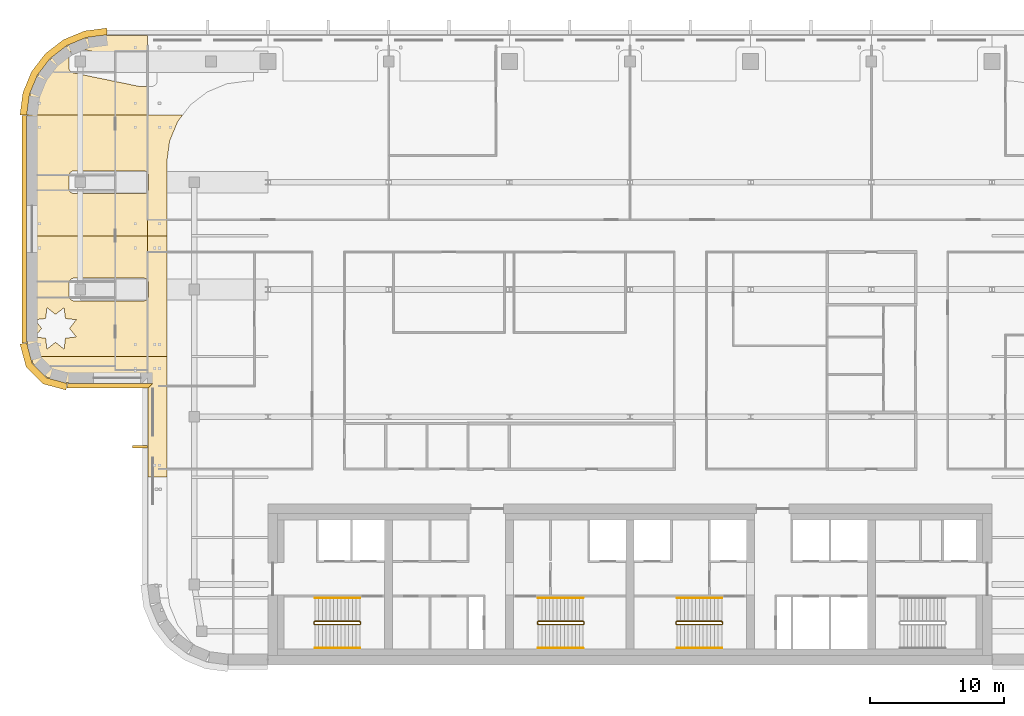
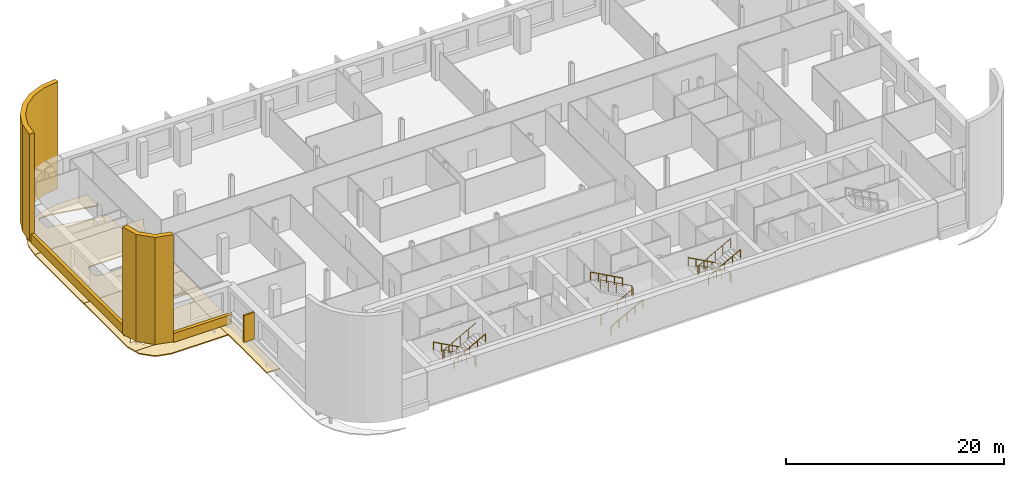
# One storey, part 16 of 19: 12 coverings, 9 railings.
"""IFC4 building model written with IfcOpenShell, lengths in metres."""

from ifc_helpers import new_model, si_unit, direction, frame, origin, origin_2d, place, context, subcontext, project, spatial, polyline, circle, outline, extrude, material, layer, layer_set, type_object, element, save


model = new_model("IFC4")

# Units and contexts
model_context = context("Model", 3, precision=1e-05, world=origin(), true_north=direction((0.0, 1.0)))
body_context = subcontext(model_context, "Body", "Model", "MODEL_VIEW")
ifc_project = project(units=[si_unit("LENGTHUNIT", "METRE"), si_unit("AREAUNIT", "SQUARE_METRE"), si_unit("VOLUMEUNIT", "CUBIC_METRE"), si_unit("PLANEANGLEUNIT", "RADIAN"), si_unit("MASSUNIT", "GRAM", prefix="KILO")], contexts=[model_context])

# Site, building, storey
site_placement = place(None, origin())
site = spatial("IfcSite", under=ifc_project, at=site_placement, CompositionType="ELEMENT")
building_placement = place(site_placement, origin())
building = spatial("IfcBuilding", under=site, at=building_placement, Name="Zellij Exchange Tower", CompositionType="ELEMENT")
storey_placement = place(building_placement, frame((0.0, 0.0, 220.5)))
storey = spatial("IfcBuildingStorey", under=building, at=storey_placement, Name="L51", CompositionType="ELEMENT", Elevation=220.5)

# Railings
ifc_material_1 = material(Name="Stainless steel", Category="steel")
railing_type_1 = type_object("IfcRailingType", Name="CORE-RG stair guard", PredefinedType="GUARDRAIL", material=ifc_material_1)
railing_1_placement = place(storey_placement, frame((-20.10009765625, -10.800048828125, 0.0)))
element("IfcRailing", 1, at=railing_1_placement, inside=storey, type_object=railing_type_1, Name="ST1 stair guard L51", PredefinedType="GUARDRAIL", context=body_context, shape_type="SweptSolid", body=[
    extrude(circle(Radius=0.02392578125, at=origin_2d()), frame((0.0, 0.0, 1.076171875), z_axis=(0.0, -1.0, 0.0), x_axis=(1.0, 0.0, 0.0)), (0.0, 0.0, 1.0), 0.14990234375),
    extrude(circle(Radius=0.02392578125, at=origin_2d()), frame((0.0, -0.14990234375, 1.076171875), z_axis=(-0.193691321961, 0.777613689637, 0.598164376644), x_axis=(-0.970351222016, -0.241699205484, 0.0)), (0.0, 0.0, 1.0), 0.257080078125),
    extrude(circle(Radius=0.02392578125, at=origin_2d()), frame((-0.0498046875, 0.050048828125, 1.22998046875), z_axis=(-0.876421534553, 0.0, 0.481544695509), x_axis=(0.0, -1.0, 0.0)), (0.0, 0.0, 1.0), 3.833984375),
    extrude(circle(Radius=0.02392578125, at=origin_2d()), frame((-3.409912109375, 0.050048828125, 3.076171875), z_axis=(-0.707106781187, -0.707106781187, 0.0), x_axis=(0.707106781187, -0.707106781187, 0.0)), (0.0, 0.0, 1.0), 0.07080078125),
    extrude(circle(Radius=0.02392578125, at=origin_2d()), frame((-3.4599609375, 0.0, 3.076171875), z_axis=(0.0, -1.0, 0.0), x_axis=(1.0, 0.0, 0.0)), (0.0, 0.0, 1.0), 0.14990234375),
    extrude(circle(Radius=0.02392578125, at=origin_2d()), frame((-3.4599609375, -0.14990234375, 3.076171875), z_axis=(0.295599637079, -0.295599637079, 0.908428152975), x_axis=(0.707106781187, 0.707106781187, 0.0)), (0.0, 0.0, 1.0), 0.16943359375),
    extrude(circle(Radius=0.02392578125, at=origin_2d()), frame((-3.409912109375, -0.199951171875, 3.22998046875), z_axis=(0.876421534553, 0.0, 0.481544695509), x_axis=(0.0, 1.0, 0.0)), (0.0, 0.0, 1.0), 3.833984375),
    extrude(circle(Radius=0.02099609375, at=origin_2d()), origin(), (0.0, 0.0, 1.0), 1.052001953125),
    extrude(circle(Radius=0.02099609375, at=origin_2d()), frame((0.0, -0.14990234375, 0.0)), (0.0, 0.0, 1.0), 1.052001953125),
    extrude(circle(Radius=0.02099609375, at=origin_2d()), frame((-0.0498046875, 0.050048828125, 0.15380859375)), (0.0, 0.0, 1.0), 1.052001953125),
    extrude(circle(Radius=0.02099609375, at=origin_2d()), frame((-0.889892578125, 0.050048828125, 0.615234375)), (0.0, 0.0, 1.0), 1.052001953125),
    extrude(circle(Radius=0.02099609375, at=origin_2d()), frame((-1.72998046875, 0.050048828125, 1.076904296875)), (0.0, 0.0, 1.0), 1.052001953125),
    extrude(circle(Radius=0.02099609375, at=origin_2d()), frame((-2.56982421875, 0.050048828125, 1.53857421875)), (0.0, 0.0, 1.0), 1.052001953125),
    extrude(circle(Radius=0.02099609375, at=origin_2d()), frame((-3.409912109375, 0.050048828125, 2.0)), (0.0, 0.0, 1.0), 1.052001953125),
    extrude(circle(Radius=0.02099609375, at=origin_2d()), frame((-3.4599609375, 0.0, 2.0)), (0.0, 0.0, 1.0), 1.052001953125),
    extrude(circle(Radius=0.02099609375, at=origin_2d()), frame((-3.4599609375, -0.14990234375, 2.0)), (0.0, 0.0, 1.0), 1.052001953125),
    extrude(circle(Radius=0.02099609375, at=origin_2d()), frame((-3.409912109375, -0.199951171875, 2.15380859375)), (0.0, 0.0, 1.0), 1.052001953125),
    extrude(circle(Radius=0.02099609375, at=origin_2d()), frame((-2.56982421875, -0.199951171875, 2.615234375)), (0.0, 0.0, 1.0), 1.052001953125),
    extrude(circle(Radius=0.02099609375, at=origin_2d()), frame((-1.72998046875, -0.199951171875, 3.076904296875)), (0.0, 0.0, 1.0), 1.052001953125),
    extrude(circle(Radius=0.02099609375, at=origin_2d()), frame((-0.889892578125, -0.199951171875, 3.53857421875)), (0.0, 0.0, 1.0), 1.052001953125),
    extrude(circle(Radius=0.02099609375, at=origin_2d()), frame((-0.0498046875, -0.199951171875, 4.0)), (0.0, 0.0, 1.0), 1.052001953125),
])
railing_2_placement = place(storey_placement, frame((-6.89990234375, -10.949951171875, 0.0)))
element("IfcRailing", 2, at=railing_2_placement, inside=storey, type_object=railing_type_1, Name="ST2 stair guard L51", PredefinedType="GUARDRAIL", context=body_context, shape_type="SweptSolid", body=[
    extrude(circle(Radius=0.02392578125, at=origin_2d()), frame((0.0, 0.0, 1.076171875), z_axis=(0.0, 1.0, 0.0), x_axis=(-1.0, 0.0, 0.0)), (0.0, 0.0, 1.0), 0.14990234375),
    extrude(circle(Radius=0.02392578125, at=origin_2d()), frame((0.0, 0.14990234375, 1.076171875), z_axis=(0.193691321961, -0.777613689637, 0.598164376644), x_axis=(0.970351222016, 0.241699205484, 0.0)), (0.0, 0.0, 1.0), 0.257080078125),
    extrude(circle(Radius=0.02392578125, at=origin_2d()), frame((0.0498046875, -0.050048828125, 1.22998046875), z_axis=(0.876421534553, 0.0, 0.481544695509), x_axis=(0.0, 1.0, 0.0)), (0.0, 0.0, 1.0), 3.833984375),
    extrude(circle(Radius=0.02392578125, at=origin_2d()), frame((3.409912109375, -0.050048828125, 3.076171875), z_axis=(0.707106781187, 0.707106781187, 0.0), x_axis=(-0.707106781187, 0.707106781187, 0.0)), (0.0, 0.0, 1.0), 0.07080078125),
    extrude(circle(Radius=0.02392578125, at=origin_2d()), frame((3.4599609375, 0.0, 3.076171875), z_axis=(0.0, 1.0, 0.0), x_axis=(-1.0, 0.0, 0.0)), (0.0, 0.0, 1.0), 0.14990234375),
    extrude(circle(Radius=0.02392578125, at=origin_2d()), frame((3.4599609375, 0.14990234375, 3.076171875), z_axis=(-0.295599637079, 0.295599637079, 0.908428152975), x_axis=(-0.707106781187, -0.707106781187, 0.0)), (0.0, 0.0, 1.0), 0.16943359375),
    extrude(circle(Radius=0.02392578125, at=origin_2d()), frame((3.409912109375, 0.199951171875, 3.22998046875), z_axis=(-0.876421534553, 0.0, 0.481544695509), x_axis=(0.0, -1.0, 0.0)), (0.0, 0.0, 1.0), 3.833984375),
    extrude(circle(Radius=0.02099609375, at=origin_2d()), origin(), (0.0, 0.0, 1.0), 1.052001953125),
    extrude(circle(Radius=0.02099609375, at=origin_2d()), frame((0.0, 0.14990234375, 0.0)), (0.0, 0.0, 1.0), 1.052001953125),
    extrude(circle(Radius=0.02099609375, at=origin_2d()), frame((0.0498046875, -0.050048828125, 0.15380859375)), (0.0, 0.0, 1.0), 1.052001953125),
    extrude(circle(Radius=0.02099609375, at=origin_2d()), frame((0.889892578125, -0.050048828125, 0.615234375)), (0.0, 0.0, 1.0), 1.052001953125),
    extrude(circle(Radius=0.02099609375, at=origin_2d()), frame((1.72998046875, -0.050048828125, 1.076904296875)), (0.0, 0.0, 1.0), 1.052001953125),
    extrude(circle(Radius=0.02099609375, at=origin_2d()), frame((2.56982421875, -0.050048828125, 1.53857421875)), (0.0, 0.0, 1.0), 1.052001953125),
    extrude(circle(Radius=0.02099609375, at=origin_2d()), frame((3.409912109375, -0.050048828125, 2.0)), (0.0, 0.0, 1.0), 1.052001953125),
    extrude(circle(Radius=0.02099609375, at=origin_2d()), frame((3.4599609375, 0.0, 2.0)), (0.0, 0.0, 1.0), 1.052001953125),
    extrude(circle(Radius=0.02099609375, at=origin_2d()), frame((3.4599609375, 0.14990234375, 2.0)), (0.0, 0.0, 1.0), 1.052001953125),
    extrude(circle(Radius=0.02099609375, at=origin_2d()), frame((3.409912109375, 0.199951171875, 2.15380859375)), (0.0, 0.0, 1.0), 1.052001953125),
    extrude(circle(Radius=0.02099609375, at=origin_2d()), frame((2.56982421875, 0.199951171875, 2.615234375)), (0.0, 0.0, 1.0), 1.052001953125),
    extrude(circle(Radius=0.02099609375, at=origin_2d()), frame((1.72998046875, 0.199951171875, 3.076904296875)), (0.0, 0.0, 1.0), 1.052001953125),
    extrude(circle(Radius=0.02099609375, at=origin_2d()), frame((0.889892578125, 0.199951171875, 3.53857421875)), (0.0, 0.0, 1.0), 1.052001953125),
    extrude(circle(Radius=0.02099609375, at=origin_2d()), frame((0.0498046875, 0.199951171875, 4.0)), (0.0, 0.0, 1.0), 1.052001953125),
])
railing_3_placement = place(storey_placement, frame((6.89990234375, -10.800048828125, 0.0)))
element("IfcRailing", 3, at=railing_3_placement, inside=storey, type_object=railing_type_1, Name="ST3 stair guard L51", PredefinedType="GUARDRAIL", context=body_context, shape_type="SweptSolid", body=[
    extrude(circle(Radius=0.02392578125, at=origin_2d()), frame((0.0, 0.0, 1.076171875), z_axis=(0.0, -1.0, 0.0), x_axis=(1.0, 0.0, 0.0)), (0.0, 0.0, 1.0), 0.14990234375),
    extrude(circle(Radius=0.02392578125, at=origin_2d()), frame((0.0, -0.14990234375, 1.076171875), z_axis=(-0.193691321961, 0.777613689637, 0.598164376644), x_axis=(-0.970351222016, -0.241699205484, 0.0)), (0.0, 0.0, 1.0), 0.257080078125),
    extrude(circle(Radius=0.02392578125, at=origin_2d()), frame((-0.0498046875, 0.050048828125, 1.22998046875), z_axis=(-0.876421534553, 0.0, 0.481544695509), x_axis=(0.0, -1.0, 0.0)), (0.0, 0.0, 1.0), 3.833984375),
    extrude(circle(Radius=0.02392578125, at=origin_2d()), frame((-3.409912109375, 0.050048828125, 3.076171875), z_axis=(-0.707106781187, -0.707106781187, 0.0), x_axis=(0.707106781187, -0.707106781187, 0.0)), (0.0, 0.0, 1.0), 0.07080078125),
    extrude(circle(Radius=0.02392578125, at=origin_2d()), frame((-3.4599609375, 0.0, 3.076171875), z_axis=(0.0, -1.0, 0.0), x_axis=(1.0, 0.0, 0.0)), (0.0, 0.0, 1.0), 0.14990234375),
    extrude(circle(Radius=0.02392578125, at=origin_2d()), frame((-3.4599609375, -0.14990234375, 3.076171875), z_axis=(0.295599637079, -0.295599637079, 0.908428152975), x_axis=(0.707106781187, 0.707106781187, 0.0)), (0.0, 0.0, 1.0), 0.16943359375),
    extrude(circle(Radius=0.02392578125, at=origin_2d()), frame((-3.409912109375, -0.199951171875, 3.22998046875), z_axis=(0.876421534553, 0.0, 0.481544695509), x_axis=(0.0, 1.0, 0.0)), (0.0, 0.0, 1.0), 3.833984375),
    extrude(circle(Radius=0.02099609375, at=origin_2d()), origin(), (0.0, 0.0, 1.0), 1.052001953125),
    extrude(circle(Radius=0.02099609375, at=origin_2d()), frame((0.0, -0.14990234375, 0.0)), (0.0, 0.0, 1.0), 1.052001953125),
    extrude(circle(Radius=0.02099609375, at=origin_2d()), frame((-0.0498046875, 0.050048828125, 0.15380859375)), (0.0, 0.0, 1.0), 1.052001953125),
    extrude(circle(Radius=0.02099609375, at=origin_2d()), frame((-0.889892578125, 0.050048828125, 0.615234375)), (0.0, 0.0, 1.0), 1.052001953125),
    extrude(circle(Radius=0.02099609375, at=origin_2d()), frame((-1.72998046875, 0.050048828125, 1.076904296875)), (0.0, 0.0, 1.0), 1.052001953125),
    extrude(circle(Radius=0.02099609375, at=origin_2d()), frame((-2.56982421875, 0.050048828125, 1.53857421875)), (0.0, 0.0, 1.0), 1.052001953125),
    extrude(circle(Radius=0.02099609375, at=origin_2d()), frame((-3.409912109375, 0.050048828125, 2.0)), (0.0, 0.0, 1.0), 1.052001953125),
    extrude(circle(Radius=0.02099609375, at=origin_2d()), frame((-3.4599609375, 0.0, 2.0)), (0.0, 0.0, 1.0), 1.052001953125),
    extrude(circle(Radius=0.02099609375, at=origin_2d()), frame((-3.4599609375, -0.14990234375, 2.0)), (0.0, 0.0, 1.0), 1.052001953125),
    extrude(circle(Radius=0.02099609375, at=origin_2d()), frame((-3.409912109375, -0.199951171875, 2.15380859375)), (0.0, 0.0, 1.0), 1.052001953125),
    extrude(circle(Radius=0.02099609375, at=origin_2d()), frame((-2.56982421875, -0.199951171875, 2.615234375)), (0.0, 0.0, 1.0), 1.052001953125),
    extrude(circle(Radius=0.02099609375, at=origin_2d()), frame((-1.72998046875, -0.199951171875, 3.076904296875)), (0.0, 0.0, 1.0), 1.052001953125),
    extrude(circle(Radius=0.02099609375, at=origin_2d()), frame((-0.889892578125, -0.199951171875, 3.53857421875)), (0.0, 0.0, 1.0), 1.052001953125),
    extrude(circle(Radius=0.02099609375, at=origin_2d()), frame((-0.0498046875, -0.199951171875, 4.0)), (0.0, 0.0, 1.0), 1.052001953125),
])
railing_type_2 = type_object("IfcRailingType", Name="CORE-RH stair handrail", PredefinedType="HANDRAIL", material=ifc_material_1)
railing_4_placement = place(storey_placement, frame((-20.14990234375, -9.0, 0.15380859375)))
element("IfcRailing", 4, at=railing_4_placement, inside=storey, type_object=railing_type_2, Name="ST1 stair handrail L51", PredefinedType="HANDRAIL", context=body_context, shape_type="SweptSolid", body=[
    extrude(circle(Radius=0.02392578125, at=origin_2d()), frame((0.0, 0.0, 0.8759765625), z_axis=(-0.876421534553, 0.0, 0.481544695509), x_axis=(0.0, -1.0, 0.0)), (0.0, 0.0, 1.0), 3.833984375),
    extrude(circle(Radius=0.02099609375, at=origin_2d()), origin(), (0.0, 0.0, 1.0), 0.851806640625),
    extrude(circle(Radius=0.02099609375, at=origin_2d()), frame((-0.840087890625, 0.0, 0.46142578125)), (0.0, 0.0, 1.0), 0.851806640625),
    extrude(circle(Radius=0.02099609375, at=origin_2d()), frame((-1.68017578125, 0.0, 0.923095703125)), (0.0, 0.0, 1.0), 0.851806640625),
    extrude(circle(Radius=0.02099609375, at=origin_2d()), frame((-2.52001953125, 0.0, 1.384765625)), (0.0, 0.0, 1.0), 0.851806640625),
    extrude(circle(Radius=0.02099609375, at=origin_2d()), frame((-3.360107421875, 0.0, 1.84619140625)), (0.0, 0.0, 1.0), 0.851806640625),
])
for number, where, name in (
    (5, (-23.510009765625, -12.75, 2.15380859375), "ST1 stair handrail L51"),
    (6, (-6.85009765625, -12.75, 0.15380859375), "ST2 stair handrail L51"),
):
    element("IfcRailing", number, at=place(storey_placement, frame(where)), inside=storey, type_object=railing_type_2, Name=name, PredefinedType="HANDRAIL", context=body_context, shape_type="SweptSolid", body=[
        extrude(circle(Radius=0.02392578125, at=origin_2d()), frame((0.0, 0.0, 0.8759765625), z_axis=(0.876421534553, 0.0, 0.481544695509), x_axis=(0.0, 1.0, 0.0)), (0.0, 0.0, 1.0), 3.833984375),
        extrude(circle(Radius=0.02099609375, at=origin_2d()), origin(), (0.0, 0.0, 1.0), 0.851806640625),
        extrude(circle(Radius=0.02099609375, at=origin_2d()), frame((0.840087890625, 0.0, 0.46142578125)), (0.0, 0.0, 1.0), 0.851806640625),
        extrude(circle(Radius=0.02099609375, at=origin_2d()), frame((1.68017578125, 0.0, 0.923095703125)), (0.0, 0.0, 1.0), 0.851806640625),
        extrude(circle(Radius=0.02099609375, at=origin_2d()), frame((2.52001953125, 0.0, 1.384765625)), (0.0, 0.0, 1.0), 0.851806640625),
        extrude(circle(Radius=0.02099609375, at=origin_2d()), frame((3.360107421875, 0.0, 1.84619140625)), (0.0, 0.0, 1.0), 0.851806640625),
    ])
for number, where, name in (
    (7, (-3.489990234375, -9.0, 2.15380859375), "ST2 stair handrail L51"),
    (8, (6.85009765625, -9.0, 0.15380859375), "ST3 stair handrail L51"),
):
    element("IfcRailing", number, at=place(storey_placement, frame(where)), inside=storey, type_object=railing_type_2, Name=name, PredefinedType="HANDRAIL", context=body_context, shape_type="SweptSolid", body=[
        extrude(circle(Radius=0.02392578125, at=origin_2d()), frame((0.0, 0.0, 0.8759765625), z_axis=(-0.876421534553, 0.0, 0.481544695509), x_axis=(0.0, -1.0, 0.0)), (0.0, 0.0, 1.0), 3.833984375),
        extrude(circle(Radius=0.02099609375, at=origin_2d()), origin(), (0.0, 0.0, 1.0), 0.851806640625),
        extrude(circle(Radius=0.02099609375, at=origin_2d()), frame((-0.840087890625, 0.0, 0.46142578125)), (0.0, 0.0, 1.0), 0.851806640625),
        extrude(circle(Radius=0.02099609375, at=origin_2d()), frame((-1.68017578125, 0.0, 0.923095703125)), (0.0, 0.0, 1.0), 0.851806640625),
        extrude(circle(Radius=0.02099609375, at=origin_2d()), frame((-2.52001953125, 0.0, 1.384765625)), (0.0, 0.0, 1.0), 0.851806640625),
        extrude(circle(Radius=0.02099609375, at=origin_2d()), frame((-3.360107421875, 0.0, 1.84619140625)), (0.0, 0.0, 1.0), 0.851806640625),
    ])
railing_5_placement = place(storey_placement, frame((3.489990234375, -12.75, 2.15380859375)))
element("IfcRailing", 9, at=railing_5_placement, inside=storey, type_object=railing_type_2, Name="ST3 stair handrail L51", PredefinedType="HANDRAIL", context=body_context, shape_type="SweptSolid", body=[
    extrude(circle(Radius=0.02392578125, at=origin_2d()), frame((0.0, 0.0, 0.8759765625), z_axis=(0.876421534553, 0.0, 0.481544695509), x_axis=(0.0, 1.0, 0.0)), (0.0, 0.0, 1.0), 3.833984375),
    extrude(circle(Radius=0.02099609375, at=origin_2d()), origin(), (0.0, 0.0, 1.0), 0.851806640625),
    extrude(circle(Radius=0.02099609375, at=origin_2d()), frame((0.840087890625, 0.0, 0.46142578125)), (0.0, 0.0, 1.0), 0.851806640625),
    extrude(circle(Radius=0.02099609375, at=origin_2d()), frame((1.68017578125, 0.0, 0.923095703125)), (0.0, 0.0, 1.0), 0.851806640625),
    extrude(circle(Radius=0.02099609375, at=origin_2d()), frame((2.52001953125, 0.0, 1.384765625)), (0.0, 0.0, 1.0), 0.851806640625),
    extrude(circle(Radius=0.02099609375, at=origin_2d()), frame((3.360107421875, 0.0, 1.84619140625)), (0.0, 0.0, 1.0), 0.851806640625),
])

# Coverings
ifc_material_2 = material(Name="Limestone cladding", Category="masonry")
ifc_layer_1 = layer(ifc_material_2, 0.35009765625)
ifc_layer_set_1 = layer_set([ifc_layer_1], Name="Limestone cladding")
covering_type_1 = type_object("IfcCoveringType", Name="ENV-CV10 Stone spandrel band 350", PredefinedType="CLADDING", material=ifc_layer_set_1)
covering_1_placement = place(storey_placement, frame((0.0, 0.0, -0.199951171875)))
element("IfcCovering", 10, at=covering_1_placement, inside=storey, type_object=covering_type_1, Name="Stone spandrel band", PredefinedType="CLADDING", context=body_context, shape_type="SweptSolid", body=[
    extrude(outline(polyline([(-45.0, 26.973876953125), (-45.0, 10.052734375), (-45.35009765625, 10.006591796875), (-45.35009765625, 26.99658203125), (-45.0, 26.973876953125)])), origin(), (0.0, 0.0, 1.0), 1.0),
])
covering_2_placement = place(storey_placement, frame((0.0, 0.0, -0.199951171875)))
element("IfcCovering", 11, at=covering_2_placement, inside=storey, type_object=covering_type_1, Name="Stone spandrel band", PredefinedType="CLADDING", context=body_context, shape_type="SweptSolid", body=[
    extrude(outline(polyline([(-41.947265625, 7.0), (-35.60009765625, 7.0), (-35.949951171875, 6.64990234375), (-41.993408203125, 6.64990234375), (-41.947265625, 7.0)])), origin(), (0.0, 0.0, 1.0), 1.0),
])
ifc_layer_2 = layer(ifc_material_2, 0.5)
ifc_layer_set_2 = layer_set([ifc_layer_2], Name="Limestone cladding")
covering_type_2 = type_object("IfcCoveringType", Name="ENV-CV12 Stone corner pier 500", PredefinedType="CLADDING", material=ifc_layer_set_2)
covering_3_placement = place(storey_placement, origin())
element("IfcCovering", 12, at=covering_3_placement, inside=storey, type_object=covering_type_2, Name="Stone corner pier", PredefinedType="CLADDING", context=body_context, shape_type="SweptSolid", body=[
    extrude(outline(polyline([(-39.0, 33.0), (-40.552978515625, 32.795654296875), (-42.0, 32.1962890625), (-43.24267578125, 31.24267578125), (-44.1962890625, 30.0), (-44.795654296875, 28.552978515625), (-45.0, 27.0), (-45.5, 27.03271484375), (-45.28271484375, 28.683349609375), (-44.6328125, 30.252197265625), (-43.59912109375, 31.59912109375), (-42.252197265625, 32.6328125), (-40.683349609375, 33.28271484375), (-39.03271484375, 33.5), (-39.0, 33.0)])), origin(), (0.0, 0.0, 1.0), 12.0),
])
covering_4_placement = place(storey_placement, origin())
element("IfcCovering", 13, at=covering_4_placement, inside=storey, type_object=covering_type_2, Name="Stone corner pier", PredefinedType="CLADDING", context=body_context, shape_type="SweptSolid", body=[
    extrude(outline(polyline([(-45.0, 10.0), (-44.59814453125, 8.5), (-43.5, 7.40185546875), (-42.0, 7.0), (-42.06591796875, 6.5), (-43.7587890625, 6.95361328125), (-45.04638671875, 8.2412109375), (-45.5, 9.93408203125), (-45.0, 10.0)])), origin(), (0.0, 0.0, 1.0), 12.0),
])
covering_type_3 = type_object("IfcCoveringType", Name="ENV-CV6 Stone pier 200x1100", PredefinedType="CLADDING", material=ifc_material_2)
covering_5_placement = place(storey_placement, frame((0.0, 0.0, 0.800048828125)))
element("IfcCovering", 14, at=covering_5_placement, inside=storey, type_object=covering_type_3, Name="Stone pier", PredefinedType="CLADDING", context=body_context, shape_type="SweptSolid", body=[
    extrude(outline(polyline([(-36.0, 2.37548828125), (-36.0, 2.17529296875), (-37.10009765625, 2.17529296875), (-37.10009765625, 2.37548828125), (-36.0, 2.37548828125)])), origin(), (0.0, 0.0, 1.0), 3.0),
])
ifc_material_3 = material(Name="Limestone screen", Category="masonry")
ifc_layer_3 = layer(ifc_material_3, 0.1201171875)
ifc_layer_set_3 = layer_set([ifc_layer_3], Name="Limestone screen")
covering_type_4 = type_object("IfcCoveringType", Name="ENV-SC1 Pierced stone screen 120", PredefinedType="USERDEFINED", material=ifc_layer_set_3)
covering_6_placement = place(storey_placement, frame((0.0, 0.0, -1.77001953125)))
element("IfcCovering", 15, at=covering_6_placement, inside=storey, type_object=covering_type_4, Name="Pierced stone screen", ObjectType="SCREEN", PredefinedType="USERDEFINED", context=body_context, shape_type="SweptSolid", body=[
    extrude(outline(polyline([(-41.993408203125, 7.050048828125), (-43.47412109375, 7.44677734375), (-44.55322265625, 8.52587890625), (-44.680419921875, 9.0), (-36.0, 9.0), (-36.0, 7.050048828125), (-41.993408203125, 7.050048828125)])), origin(), (0.0, 0.0, 1.0), 0.1201171875),
])
covering_7_placement = place(storey_placement, frame((0.0, 0.0, -1.77001953125)))
element("IfcCovering", 16, at=covering_7_placement, inside=storey, type_object=covering_type_4, Name="Pierced stone screen", ObjectType="SCREEN", PredefinedType="USERDEFINED", context=body_context, shape_type="SweptSolid", body=[
    extrude(outline(polyline([(-44.949951171875, 10.006591796875), (-44.949951171875, 18.0), (-36.0, 18.0), (-36.0, 14.7138671875), (-36.01708984375, 14.73291015625), (-36.046142578125, 14.75927734375), (-36.077880859375, 14.78271484375), (-36.111328125, 14.802734375), (-36.14697265625, 14.819580078125), (-36.183837890625, 14.832763671875), (-36.221923828125, 14.84228515625), (-36.2607421875, 14.84814453125), (-36.300048828125, 14.85009765625), (-41.449951171875, 14.85009765625), (-41.4892578125, 14.84814453125), (-41.528076171875, 14.84228515625), (-41.566162109375, 14.832763671875), (-41.60302734375, 14.819580078125), (-41.638671875, 14.802734375), (-41.672119140625, 14.78271484375), (-41.703857421875, 14.75927734375), (-41.73291015625, 14.73291015625), (-41.75927734375, 14.703857421875), (-41.78271484375, 14.672119140625), (-41.802734375, 14.638671875), (-41.819580078125, 14.60302734375), (-41.832763671875, 14.566162109375), (-41.84228515625, 14.528076171875), (-41.84814453125, 14.4892578125), (-41.85009765625, 14.449951171875), (-41.85009765625, 13.550048828125), (-41.84814453125, 13.5107421875), (-41.84228515625, 13.471923828125), (-41.832763671875, 13.433837890625), (-41.819580078125, 13.39697265625), (-41.802734375, 13.361328125), (-41.78271484375, 13.327880859375), (-41.75927734375, 13.296142578125), (-41.73291015625, 13.26708984375), (-41.703857421875, 13.24072265625), (-41.672119140625, 13.21728515625), (-41.638671875, 13.197265625), (-41.60302734375, 13.180419921875), (-41.566162109375, 13.167236328125), (-41.528076171875, 13.15771484375), (-41.4892578125, 13.15185546875), (-41.449951171875, 13.14990234375), (-36.300048828125, 13.14990234375), (-36.2607421875, 13.15185546875), (-36.221923828125, 13.15771484375), (-36.183837890625, 13.167236328125), (-36.14697265625, 13.180419921875), (-36.111328125, 13.197265625), (-36.077880859375, 13.21728515625), (-36.046142578125, 13.24072265625), (-36.01708984375, 13.26708984375), (-36.0, 13.2861328125), (-36.0, 9.0), (-44.680419921875, 9.0), (-44.949951171875, 10.006591796875)]), holes=[polyline([(-41.2978515625, 11.742919921875), (-42.113525390625, 11.83642578125), (-42.20703125, 12.652099609375), (-42.85009765625, 12.1416015625), (-43.492919921875, 12.652099609375), (-43.58642578125, 11.83642578125), (-44.402099609375, 11.742919921875), (-43.8916015625, 11.10009765625), (-44.402099609375, 10.45703125), (-43.58642578125, 10.363525390625), (-43.492919921875, 9.5478515625), (-42.85009765625, 10.058349609375), (-42.20703125, 9.5478515625), (-42.113525390625, 10.363525390625), (-41.2978515625, 10.45703125), (-41.808349609375, 11.10009765625), (-41.2978515625, 11.742919921875)])]), origin(), (0.0, 0.0, 1.0), 0.1201171875),
])
covering_8_placement = place(storey_placement, frame((0.0, 0.0, -1.77001953125)))
element("IfcCovering", 17, at=covering_8_placement, inside=storey, type_object=covering_type_4, Name="Pierced stone screen", ObjectType="SCREEN", PredefinedType="USERDEFINED", context=body_context, shape_type="SweptSolid", body=[
    extrude(outline(polyline([(-44.949951171875, 26.99658203125), (-44.94970703125, 27.0), (-36.0, 27.0), (-36.0, 22.7138671875), (-36.01708984375, 22.73291015625), (-36.046142578125, 22.75927734375), (-36.077880859375, 22.78271484375), (-36.111328125, 22.802734375), (-36.14697265625, 22.819580078125), (-36.183837890625, 22.832763671875), (-36.221923828125, 22.84228515625), (-36.2607421875, 22.84814453125), (-36.300048828125, 22.85009765625), (-41.449951171875, 22.85009765625), (-41.4892578125, 22.84814453125), (-41.528076171875, 22.84228515625), (-41.566162109375, 22.832763671875), (-41.60302734375, 22.819580078125), (-41.638671875, 22.802734375), (-41.672119140625, 22.78271484375), (-41.703857421875, 22.75927734375), (-41.73291015625, 22.73291015625), (-41.75927734375, 22.703857421875), (-41.78271484375, 22.672119140625), (-41.802734375, 22.638671875), (-41.819580078125, 22.60302734375), (-41.832763671875, 22.566162109375), (-41.84228515625, 22.528076171875), (-41.84814453125, 22.4892578125), (-41.85009765625, 22.449951171875), (-41.85009765625, 21.550048828125), (-41.84814453125, 21.5107421875), (-41.84228515625, 21.471923828125), (-41.832763671875, 21.433837890625), (-41.819580078125, 21.39697265625), (-41.802734375, 21.361328125), (-41.78271484375, 21.327880859375), (-41.75927734375, 21.296142578125), (-41.73291015625, 21.26708984375), (-41.703857421875, 21.24072265625), (-41.672119140625, 21.21728515625), (-41.638671875, 21.197265625), (-41.60302734375, 21.180419921875), (-41.566162109375, 21.167236328125), (-41.528076171875, 21.15771484375), (-41.4892578125, 21.15185546875), (-41.449951171875, 21.14990234375), (-36.300048828125, 21.14990234375), (-36.2607421875, 21.15185546875), (-36.221923828125, 21.15771484375), (-36.183837890625, 21.167236328125), (-36.14697265625, 21.180419921875), (-36.111328125, 21.197265625), (-36.077880859375, 21.21728515625), (-36.046142578125, 21.24072265625), (-36.01708984375, 21.26708984375), (-36.0, 21.2861328125), (-36.0, 18.0), (-44.949951171875, 18.0), (-44.949951171875, 26.99658203125)])), origin(), (0.0, 0.0, 1.0), 0.1201171875),
])
covering_9_placement = place(storey_placement, frame((0.0, 0.0, -1.77001953125)))
element("IfcCovering", 18, at=covering_9_placement, inside=storey, type_object=covering_type_4, Name="Pierced stone screen", ObjectType="SCREEN", PredefinedType="USERDEFINED", context=body_context, shape_type="SweptSolid", body=[
    extrude(outline(polyline([(-44.746826171875, 28.539794921875), (-44.152587890625, 29.974853515625), (-43.20703125, 31.20703125), (-41.974853515625, 32.152587890625), (-40.539794921875, 32.746826171875), (-38.99658203125, 32.949951171875), (-36.0, 32.949951171875), (-36.0, 30.925048828125), (-40.469482421875, 31.841796875), (-40.509521484375, 31.847900390625), (-40.550048828125, 31.85009765625), (-41.449951171875, 31.85009765625), (-41.4892578125, 31.84814453125), (-41.528076171875, 31.84228515625), (-41.566162109375, 31.832763671875), (-41.60302734375, 31.819580078125), (-41.638671875, 31.802734375), (-41.672119140625, 31.78271484375), (-41.703857421875, 31.75927734375), (-41.73291015625, 31.73291015625), (-41.75927734375, 31.703857421875), (-41.78271484375, 31.672119140625), (-41.802734375, 31.638671875), (-41.819580078125, 31.60302734375), (-41.832763671875, 31.566162109375), (-41.84228515625, 31.528076171875), (-41.84814453125, 31.4892578125), (-41.85009765625, 31.449951171875), (-41.85009765625, 30.550048828125), (-41.84814453125, 30.510986328125), (-41.84228515625, 30.472412109375), (-41.8330078125, 30.434326171875), (-41.81982421875, 30.397705078125), (-41.80322265625, 30.3623046875), (-41.783203125, 30.32861328125), (-41.760009765625, 30.297119140625), (-41.73388671875, 30.26806640625), (-41.704833984375, 30.24169921875), (-41.673583984375, 30.218505859375), (-41.64013671875, 30.197998046875), (-41.60498046875, 30.18115234375), (-41.568115234375, 30.16796875), (-41.530517578125, 30.158203125), (-36.655517578125, 29.158203125), (-36.615478515625, 29.152099609375), (-36.574951171875, 29.14990234375), (-36.0, 29.14990234375), (-36.0, 27.0), (-44.94970703125, 27.0), (-44.746826171875, 28.539794921875)])), origin(), (0.0, 0.0, 1.0), 0.1201171875),
])
covering_10_placement = place(storey_placement, frame((0.0, 0.0, -1.77001953125)))
element("IfcCovering", 19, at=covering_10_placement, inside=storey, type_object=covering_type_4, Name="Pierced stone screen", ObjectType="SCREEN", PredefinedType="USERDEFINED", context=body_context, shape_type="SweptSolid", body=[
    extrude(outline(polyline([(-35.949951171875, 7.0), (-35.9501953125, 7.0048828125), (-35.950927734375, 7.009765625), (-35.9521484375, 7.014404296875), (-35.953857421875, 7.01904296875), (-35.955810546875, 7.023681640625), (-35.95849609375, 7.02783203125), (-35.961181640625, 7.03173828125), (-35.964599609375, 7.035400390625), (-35.96826171875, 7.038818359375), (-35.97216796875, 7.04150390625), (-35.976318359375, 7.044189453125), (-35.98095703125, 7.046142578125), (-35.985595703125, 7.0478515625), (-35.990234375, 7.049072265625), (-35.9951171875, 7.0498046875), (-36.0, 7.050048828125), (-36.0, 9.0), (-34.550048828125, 9.0), (-34.550048828125, 0.0), (-35.949951171875, 0.0), (-35.949951171875, 7.0)])), origin(), (0.0, 0.0, 1.0), 0.1201171875),
])
covering_11_placement = place(storey_placement, frame((0.0, 0.0, -1.77001953125)))
element("IfcCovering", 20, at=covering_11_placement, inside=storey, type_object=covering_type_4, Name="Pierced stone screen", ObjectType="SCREEN", PredefinedType="USERDEFINED", context=body_context, shape_type="SweptSolid", body=[
    extrude(outline(polyline([(-34.550048828125, 9.0), (-36.0, 9.0), (-36.0, 13.2861328125), (-35.99072265625, 13.296142578125), (-35.96728515625, 13.327880859375), (-35.947265625, 13.361328125), (-35.930419921875, 13.39697265625), (-35.917236328125, 13.433837890625), (-35.90771484375, 13.471923828125), (-35.90185546875, 13.5107421875), (-35.89990234375, 13.550048828125), (-35.89990234375, 14.449951171875), (-35.90185546875, 14.4892578125), (-35.90771484375, 14.528076171875), (-35.917236328125, 14.566162109375), (-35.930419921875, 14.60302734375), (-35.947265625, 14.638671875), (-35.96728515625, 14.672119140625), (-35.99072265625, 14.703857421875), (-36.0, 14.7138671875), (-36.0, 18.0), (-34.550048828125, 18.0), (-34.550048828125, 9.0)])), origin(), (0.0, 0.0, 1.0), 0.1201171875),
])
covering_12_placement = place(storey_placement, frame((0.0, 0.0, -1.77001953125)))
element("IfcCovering", 21, at=covering_12_placement, inside=storey, type_object=covering_type_4, Name="Pierced stone screen", ObjectType="SCREEN", PredefinedType="USERDEFINED", context=body_context, shape_type="SweptSolid", body=[
    extrude(outline(polyline([(-33.73583984375, 26.530517578125), (-33.73828125, 26.52685546875), (-33.740478515625, 26.523193359375), (-33.7421875, 26.51904296875), (-34.341796875, 25.072021484375), (-34.34326171875, 25.06787109375), (-34.344482421875, 25.063720703125), (-34.34521484375, 25.059326171875), (-34.549560546875, 23.506591796875), (-34.550048828125, 23.5), (-34.550048828125, 18.0), (-36.0, 18.0), (-36.0, 21.2861328125), (-35.99072265625, 21.296142578125), (-35.96728515625, 21.327880859375), (-35.947265625, 21.361328125), (-35.930419921875, 21.39697265625), (-35.917236328125, 21.433837890625), (-35.90771484375, 21.471923828125), (-35.90185546875, 21.5107421875), (-35.89990234375, 21.550048828125), (-35.89990234375, 22.449951171875), (-35.90185546875, 22.4892578125), (-35.90771484375, 22.528076171875), (-35.917236328125, 22.566162109375), (-35.930419921875, 22.60302734375), (-35.947265625, 22.638671875), (-35.96728515625, 22.672119140625), (-35.99072265625, 22.703857421875), (-36.0, 22.7138671875), (-36.0, 27.0), (-33.37548828125, 27.0), (-33.73583984375, 26.530517578125)])), origin(), (0.0, 0.0, 1.0), 0.1201171875),
])

save(model, "model.ifc")
